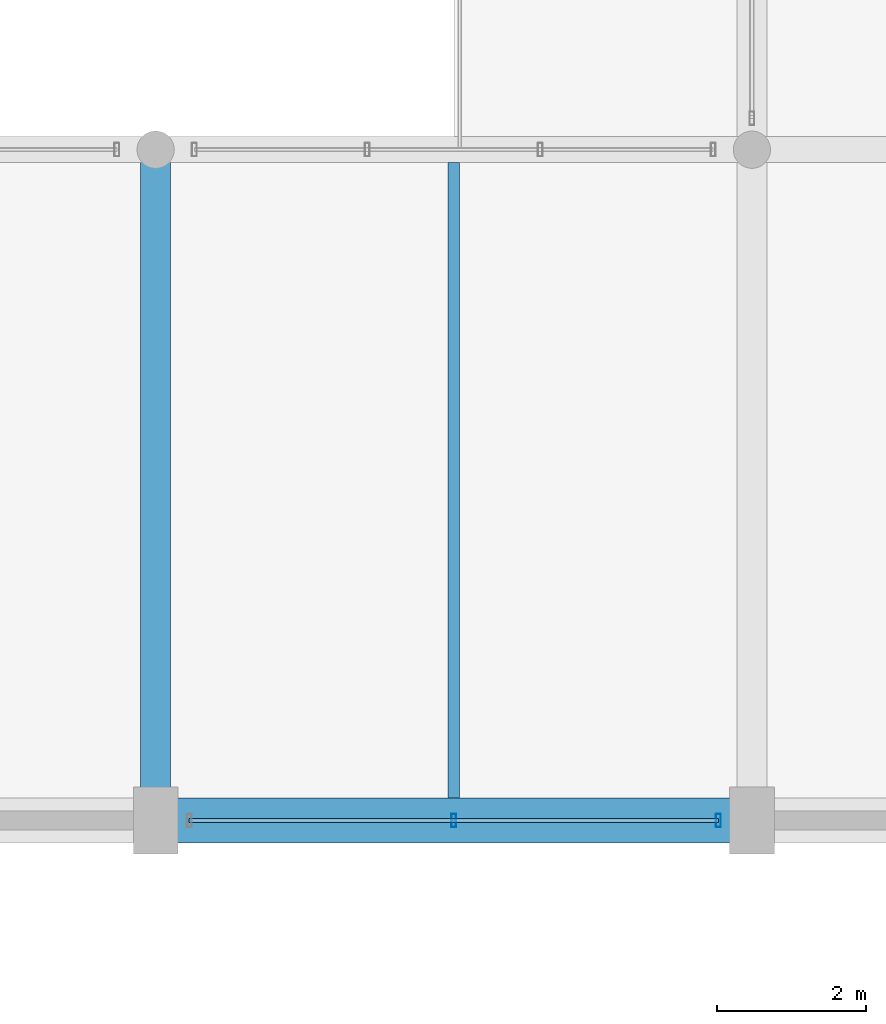
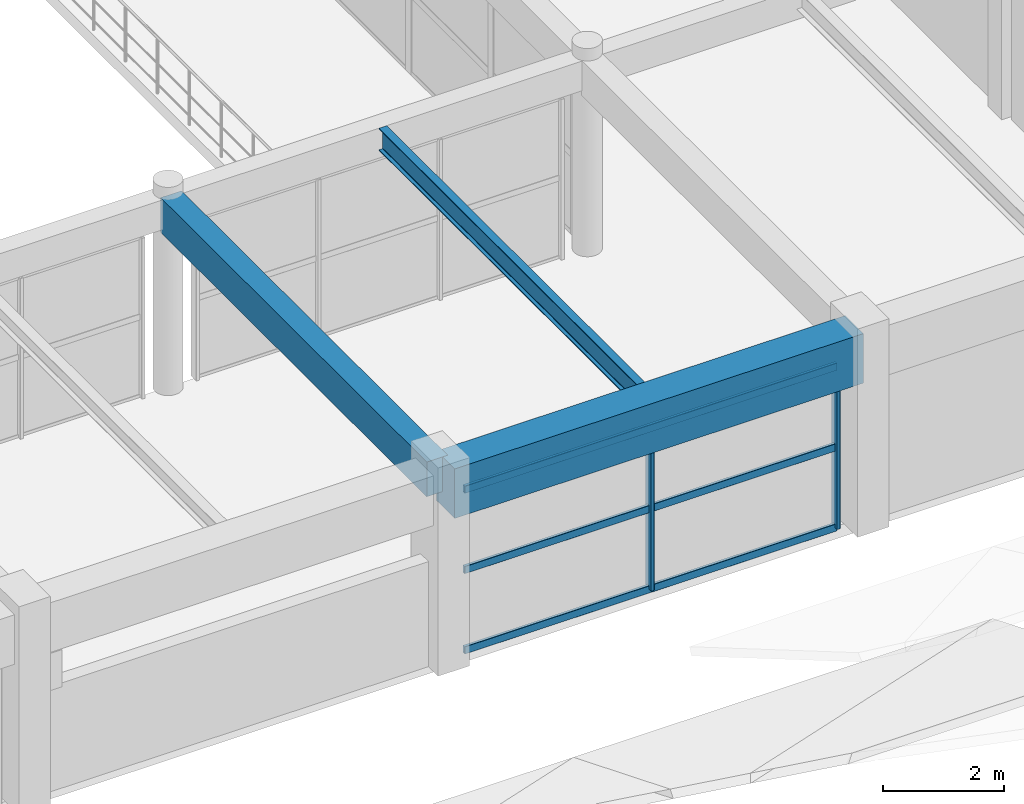
# One storey, part 48 of 126: 5 members, 3 beams, 1 element without a shape of its own.
"""IFC4 building model written with IfcOpenShell, lengths in metres."""

from ifc_helpers import new_model, si_unit, direction, frame, origin, origin_2d, place, context, subcontext, project, spatial, rectangle, hollow_rectangle, i_section, extrude, material, material_profile, profile_set, type_object, element, aggregate, save


model = new_model("IFC4")

# Units and contexts
model_context = context("Model", 3, precision=1e-05, world=origin(), true_north=direction((0.0, 1.0)))
body_context = subcontext(model_context, "Body", "Model", "MODEL_VIEW")
ifc_project = project(units=[si_unit("LENGTHUNIT", "METRE"), si_unit("AREAUNIT", "SQUARE_METRE"), si_unit("VOLUMEUNIT", "CUBIC_METRE"), si_unit("PLANEANGLEUNIT", "RADIAN"), si_unit("MASSUNIT", "GRAM", prefix="KILO")], contexts=[model_context])

# Site, building, storey
site_placement = place(None, origin())
site = spatial("IfcSite", under=ifc_project, at=site_placement, CompositionType="ELEMENT")
building_placement = place(site_placement, origin())
building = spatial("IfcBuilding", under=site, at=building_placement, Name="Varnabhumi Central Station", CompositionType="ELEMENT")
storey_placement = place(building_placement, frame((0.0, 0.0, 16.199951171875)))
storey = spatial("IfcBuildingStorey", under=building, at=storey_placement, Name="L03", CompositionType="ELEMENT", Elevation=16.199951171875)

# Beams
ifc_material_1 = material(Name="Structural steel E350", Category="steel")
ifc_material_profile_1 = material_profile(ifc_material_1, i_section(OverallWidth=0.14990234375, OverallDepth=0.449951171875, WebThickness=0.009521484375, FlangeThickness=0.017333984375, FilletRadius=0.014892578125, at=origin_2d()), Name="Structural steel E350", Category="steel")
ifc_profile_set_1 = profile_set([ifc_material_profile_1], Name="Structural steel E350")
beam_type_1 = type_object("IfcBeamType", Name="BM-JST-ISMB450", PredefinedType="JOIST", material=ifc_profile_set_1)
beam_1_placement = place(storey_placement, frame((76.0, 80.300048828125, 3.72509765625), z_axis=(0.0, 1.0, 0.0), x_axis=(-1.0, 0.0, 0.0)))
element("IfcBeam", 1, at=beam_1_placement, inside=storey, type_object=beam_type_1, Name="Secondary Joist L03-10/11:K-L", PredefinedType="JOIST", context=body_context, shape_type="SweptSolid", body=[
    extrude(i_section(OverallWidth=0.14990234375, OverallDepth=0.449951171875, WebThickness=0.009521484375, FlangeThickness=0.017333984375, FilletRadius=0.014892578125, at=origin_2d()), origin(), (0.0, 0.0, 1.0), 8.52490234375),
])
ifc_material_2 = material(Name="Concrete M50", Category="concrete")
ifc_material_profile_2 = material_profile(ifc_material_2, rectangle(XDim=0.60009765625, YDim=1.0, at=origin_2d()), Name="Concrete M50", Category="concrete")
ifc_profile_set_2 = profile_set([ifc_material_profile_2], Name="Concrete M50")
beam_type_2 = type_object("IfcBeamType", Name="BM-RC-600x1000", PredefinedType="BEAM", material=ifc_profile_set_2)
beam_2_placement = place(storey_placement, frame((72.10009765625, 80.0, 3.449951171875), z_axis=(1.0, 0.0, 0.0), x_axis=(0.0, 1.0, 0.0)))
element("IfcBeam", 2, at=beam_2_placement, inside=storey, type_object=beam_type_2, Name="Beam L03-K:10-11", PredefinedType="BEAM", context=body_context, shape_type="SweptSolid", body=[
    extrude(rectangle(XDim=0.60009765625, YDim=1.0, at=origin_2d()), origin(), (0.0, 0.0, 1.0), 7.7998046875),
])
ifc_material_3 = material(Name="Concrete M40", Category="concrete")
ifc_material_profile_3 = material_profile(ifc_material_3, rectangle(XDim=0.39990234375, YDim=0.699951171875, at=origin_2d()), Name="Concrete M40", Category="concrete")
ifc_profile_set_3 = profile_set([ifc_material_profile_3], Name="Concrete M40")
beam_type_3 = type_object("IfcBeamType", Name="BM-RC-700x400", PredefinedType="BEAM", material=ifc_profile_set_3)
beam_3_placement = place(storey_placement, frame((72.0, 80.10009765625, 3.60009765625), z_axis=(0.0, 1.0, 0.0), x_axis=(-1.0, 0.0, 0.0)))
element("IfcBeam", 3, at=beam_3_placement, inside=storey, type_object=beam_type_3, Name="Beam L03-10:K-L", PredefinedType="BEAM", context=body_context, shape_type="SweptSolid", body=[
    extrude(rectangle(XDim=0.39990234375, YDim=0.699951171875, at=origin_2d()), origin(), (0.0, 0.0, 1.0), 8.7998046875),
])

# Curtain wall, members
ifc_material_4 = material(Name="Anodised aluminium 6063-T6", Category="aluminium")
curtain_wall_type = type_object("IfcCurtainWallType", Name="CW-SPINE-SCREEN-L0", PredefinedType="NOTDEFINED", material=ifc_material_4)
curtain_wall_placement = place(storey_placement, origin())
curtain_wall = element("IfcCurtainWall", 4, at=curtain_wall_placement, inside=storey, type_object=curtain_wall_type, Name="Curtain Wall CW-NS306", PredefinedType="NOTDEFINED")
ifc_material_profile_4 = material_profile(ifc_material_4, hollow_rectangle(XDim=0.06494140625, YDim=0.179931640625, WallThickness=0.00390625, InnerFilletRadius=0.001953125, OuterFilletRadius=0.006103515625, at=origin_2d()), Name="Anodised aluminium 6063-T6", Category="aluminium")
ifc_profile_set_4 = profile_set([ifc_material_profile_4], Name="Anodised aluminium 6063-T6")
member_type_1 = type_object("IfcMemberType", Name="CW-MUL-180", PredefinedType="MULLION", material=ifc_profile_set_4)
member_1_placement = place(storey_placement, frame((76.0, 80.0, 0.0), z_axis=(0.0, 0.0, 1.0), x_axis=(1.0, 0.0, 0.0)))
member_1 = element("IfcMember", 5, at=member_1_placement, type_object=member_type_1, Name="Curtain Wall Mullion CW-NS306-M2", PredefinedType="MULLION", context=body_context, shape_type="SweptSolid", body=[
    extrude(hollow_rectangle(XDim=0.06494140625, YDim=0.179931640625, WallThickness=0.00390625, InnerFilletRadius=0.001953125, OuterFilletRadius=0.006103515625, at=origin_2d()), origin(), (0.0, 0.0, 1.0), 3.239990234375),
])
member_2_placement = place(storey_placement, frame((79.550048828125, 80.0, 0.0), z_axis=(0.0, 0.0, 1.0), x_axis=(1.0, 0.0, 0.0)))
member_2 = element("IfcMember", 6, at=member_2_placement, type_object=member_type_1, Name="Curtain Wall Mullion CW-NS306-M3", PredefinedType="MULLION", context=body_context, shape_type="SweptSolid", body=[
    extrude(hollow_rectangle(XDim=0.06494140625, YDim=0.179931640625, WallThickness=0.00390625, InnerFilletRadius=0.001953125, OuterFilletRadius=0.006103515625, at=origin_2d()), origin(), (0.0, 0.0, 1.0), 3.239990234375),
])
ifc_material_profile_5 = material_profile(ifc_material_4, hollow_rectangle(XDim=0.06005859375, YDim=0.14990234375, WallThickness=0.00390625, InnerFilletRadius=0.001953125, OuterFilletRadius=0.006103515625, at=origin_2d()), Name="Anodised aluminium 6063-T6", Category="aluminium")
ifc_profile_set_5 = profile_set([ifc_material_profile_5], Name="Anodised aluminium 6063-T6")
member_type_2 = type_object("IfcMemberType", Name="CW-TR-150", PredefinedType="USERDEFINED", material=ifc_profile_set_5)
member_3_placement = place(storey_placement, frame((72.449951171875, 80.0, 0.0), z_axis=(1.0, 0.0, 0.0), x_axis=(0.0, 1.0, 0.0)))
member_3 = element("IfcMember", 7, at=member_3_placement, type_object=member_type_2, Name="Curtain Wall Transom CW-NS306-T1", ObjectType="TRANSOM", PredefinedType="USERDEFINED", context=body_context, shape_type="SweptSolid", body=[
    extrude(hollow_rectangle(XDim=0.06005859375, YDim=0.14990234375, WallThickness=0.00390625, InnerFilletRadius=0.001953125, OuterFilletRadius=0.006103515625, at=origin_2d()), origin(), (0.0, 0.0, 1.0), 7.10009765625),
])
member_4_placement = place(storey_placement, frame((72.449951171875, 80.0, 1.6201171875), z_axis=(1.0, 0.0, 0.0), x_axis=(0.0, 1.0, 0.0)))
member_4 = element("IfcMember", 8, at=member_4_placement, type_object=member_type_2, Name="Curtain Wall Transom CW-NS306-T2", ObjectType="TRANSOM", PredefinedType="USERDEFINED", context=body_context, shape_type="SweptSolid", body=[
    extrude(hollow_rectangle(XDim=0.06005859375, YDim=0.14990234375, WallThickness=0.00390625, InnerFilletRadius=0.001953125, OuterFilletRadius=0.006103515625, at=origin_2d()), origin(), (0.0, 0.0, 1.0), 7.10009765625),
])
member_5_placement = place(storey_placement, frame((72.449951171875, 80.0, 3.239990234375), z_axis=(1.0, 0.0, 0.0), x_axis=(0.0, 1.0, 0.0)))
member_5 = element("IfcMember", 9, at=member_5_placement, type_object=member_type_2, Name="Curtain Wall Transom CW-NS306-T3", ObjectType="TRANSOM", PredefinedType="USERDEFINED", context=body_context, shape_type="SweptSolid", body=[
    extrude(hollow_rectangle(XDim=0.06005859375, YDim=0.14990234375, WallThickness=0.00390625, InnerFilletRadius=0.001953125, OuterFilletRadius=0.006103515625, at=origin_2d()), origin(), (0.0, 0.0, 1.0), 7.10009765625),
])
aggregate(curtain_wall, [member_1, member_2, member_3, member_4, member_5])

save(model, "model.ifc")
